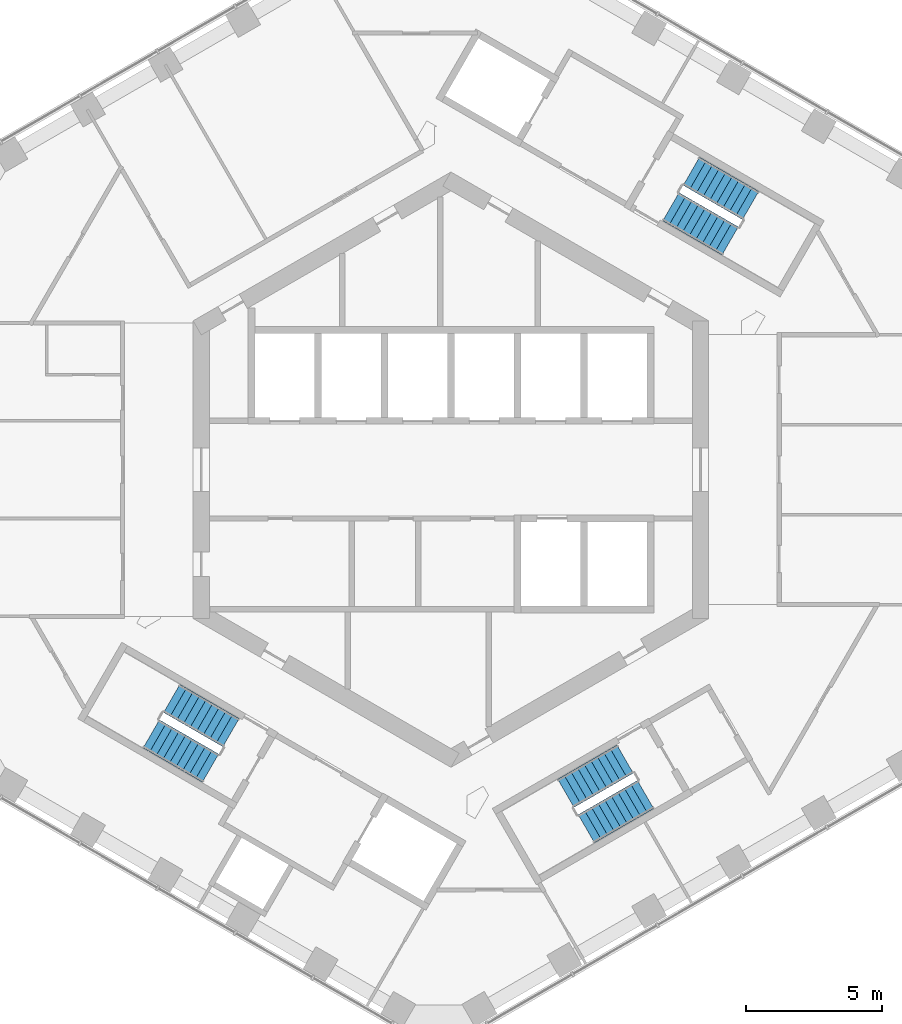
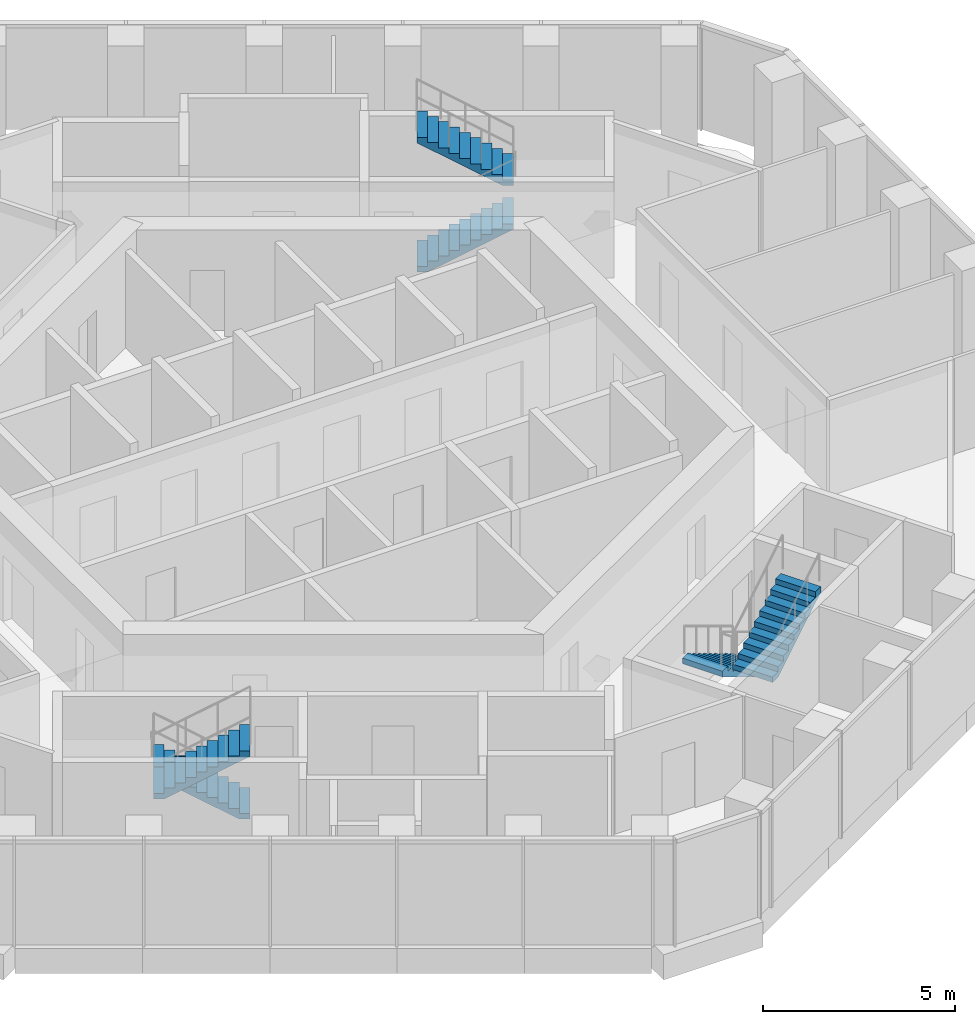
# One storey, part 17 of 18: 6 stair flights, 3 elements without a shape of their own.
"""IFC4 building model written with IfcOpenShell, lengths in metres."""

import ifcopenshell
import ifcopenshell.guid

model = None  # the IFC model being written
_history = None  # IfcOwnerHistory: only IFC2X3 demands one
_inside = {}  # id of a spatial element -> (the spatial element, [elements in it])
_under = {}  # id of a project, library or spatial element -> (it, [spatial elements below it])
_declared = {}  # id of a project -> (the project, [libraries it declares])
_typed = {}  # id of a type object -> (the type object, [elements of that type])
_made_of = {}  # id of a material, layer set ... -> (it, [elements and type objects made of it])


def new_model(schema):
    """Start an empty IFC model of exactly this schema.

    Asked for "IFC4X3", IfcOpenShell would pick the latest addendum, in which some entities
    have other attributes; the version numbers below select the first issue.
    IFC2X3 requires an IfcOwnerHistory on every rooted entity: one is made here for all.
    """
    global model, _history
    if schema == "IFC4X3":
        model = ifcopenshell.file(schema_version=(4, 3, 0, 0))
    else:
        model = ifcopenshell.file(schema=schema)
    _inside.clear()
    _under.clear()
    _declared.clear()
    _typed.clear()
    _made_of.clear()
    _history = None
    if model.schema == "IFC2X3":
        org = make("IfcOrganization", Name="unknown")
        user = make(
            "IfcPersonAndOrganization",
            ThePerson=make("IfcPerson", FamilyName="unknown"),
            TheOrganization=org,
        )
        app = make(
            "IfcApplication",
            ApplicationDeveloper=org,
            Version="unknown",
            ApplicationFullName="unknown",
            ApplicationIdentifier="unknown",
        )
        _history = make(
            "IfcOwnerHistory",
            OwningUser=user,
            OwningApplication=app,
            ChangeAction="ADDED",
            CreationDate=0,
        )
    return model


def make(cls, **values):
    """One entity of the class cls with the attributes given. An attribute that is None is left unset."""
    return model.create_entity(
        cls, **{name: value for name, value in values.items() if value is not None}
    )


def rooted(cls, **values):
    """An entity with a GlobalId (a new one), such as an element, a storey or a relation."""
    return make(cls, GlobalId=ifcopenshell.guid.new(), OwnerHistory=_history, **values)


def si_unit(unit_type, name, prefix=None):
    """IfcSIUnit, for example si_unit("LENGTHUNIT", "METRE", prefix="MILLI")."""
    return make("IfcSIUnit", UnitType=unit_type, Prefix=prefix, Name=name)


def assignment(units):
    """IfcUnitAssignment: the units of a project."""
    return None if units is None else make("IfcUnitAssignment", Units=units)


def point(xyz):
    """IfcCartesianPoint."""
    return None if xyz is None else make("IfcCartesianPoint", Coordinates=xyz)


def direction(xyz):
    """IfcDirection."""
    return None if xyz is None else make("IfcDirection", DirectionRatios=xyz)


def frame(location, z_axis=None, x_axis=None):
    """IfcAxis2Placement3D, a coordinate frame: its origin and axes. An axis left out is left unset."""
    return make(
        "IfcAxis2Placement3D",
        Location=point(location),
        Axis=direction(z_axis),
        RefDirection=direction(x_axis),
    )


def origin():
    """The frame at (0, 0, 0) with its axes left unset."""
    return frame((0.0, 0.0, 0.0))


def place(relative_to, where):
    """IfcLocalPlacement: puts the frame where relative to a parent placement (None: the world)."""
    return make(
        "IfcLocalPlacement", PlacementRelTo=relative_to, RelativePlacement=where
    )


def context(
    kind, dimensions, precision=None, world=None, true_north=None, identifier=None
):
    """IfcGeometricRepresentationContext, for example the 3D "Model" context."""
    return make(
        "IfcGeometricRepresentationContext",
        ContextIdentifier=identifier,
        ContextType=kind,
        CoordinateSpaceDimension=dimensions,
        Precision=precision,
        WorldCoordinateSystem=world,
        TrueNorth=true_north,
    )


def subcontext(parent, identifier, kind, view, scale=None):
    """IfcGeometricRepresentationSubContext, for example "Body" below "Model"."""
    return make(
        "IfcGeometricRepresentationSubContext",
        ContextIdentifier=identifier,
        ContextType=kind,
        ParentContext=parent,
        TargetScale=scale,
        TargetView=view,
    )


def project(units=None, contexts=None):
    """IfcProject with its units and contexts."""
    return rooted(
        "IfcProject",
        Name="project",
        RepresentationContexts=contexts,
        UnitsInContext=assignment(units),
    )


def spatial(cls, under=None, at=None, **own):
    """A site, building, storey or space (cls), placed at a placement, below another one or the project."""
    s = rooted(cls, ObjectPlacement=at, **own)
    if under is not None:
        _under.setdefault(under.id(), (under, []))[1].append(s)
    return s


def point_list(points):
    """IfcCartesianPointList2D or 3D."""
    cls = (
        "IfcCartesianPointList2D" if len(points[0]) == 2 else "IfcCartesianPointList3D"
    )
    return make(cls, CoordList=points)


def triangles(points, corners, closed=None, point_numbers=None):
    """IfcTriangulatedFaceSet: each triangle names its three corners, points numbered from 1."""
    return make(
        "IfcTriangulatedFaceSet",
        Coordinates=point_list(points),
        Closed=closed,
        CoordIndex=corners,
        PnIndex=point_numbers,
    )


def shape(context_of_items, identifier, shape_type, items):
    """IfcShapeRepresentation: the items that make up one representation, for example the "Body"."""
    return make(
        "IfcShapeRepresentation",
        ContextOfItems=context_of_items,
        RepresentationIdentifier=identifier,
        RepresentationType=shape_type,
        Items=items,
    )


def material(Name=None, Category=None):
    """IfcMaterial."""
    return make("IfcMaterial", Name=Name, Category=Category)


def made_of(thing, what):
    """Note that an element or type object is made of a material, layer set ...; save() writes the relation."""
    if what is not None:
        _made_of.setdefault(what.id(), (what, []))[1].append(thing)
    return thing


def type_object(cls, material=None, **own):
    """A type object (cls), such as IfcWallType, which elements share."""
    return made_of(rooted(cls, **own), material)


def element(
    cls,
    number,
    at=None,
    inside=None,
    cuts=None,
    type_object=None,
    material=None,
    context=None,
    identifier="Body",
    shape_type=None,
    held_by="IfcProductDefinitionShape",
    body=None,
    shapes=None,
    **own,
):
    """One element of the class cls, such as IfcWall. Its Tag is "e" and its number.

    at: its placement. inside: the storey or other place that contains it. cuts: it is an
    opening in that element (IfcRelVoidsElement). A single representation is given by context,
    identifier, shape_type and body (its items); several are given by shapes. held_by: the class
    of the entity that holds the representations. save() writes the other relations.
    """
    e = rooted(cls, Tag="e%d" % number, ObjectPlacement=at, **own)
    if body is not None:
        shapes = [shape(context, identifier, shape_type, body)]
    if shapes is not None:
        e.Representation = make(held_by, Representations=shapes)
    if inside is not None:
        _inside.setdefault(inside.id(), (inside, []))[1].append(e)
    if cuts is not None:
        rooted(
            "IfcRelVoidsElement", RelatingBuildingElement=cuts, RelatedOpeningElement=e
        )
    if type_object is not None:
        _typed.setdefault(type_object.id(), (type_object, []))[1].append(e)
    return made_of(e, material)


def aggregate(whole, parts):
    """IfcRelAggregates: a whole, such as a stair, and the parts it consists of."""
    return rooted("IfcRelAggregates", RelatingObject=whole, RelatedObjects=parts)


def save(model, path):
    """Write the relations noted so far, then the file.

    IfcRelAggregates (storeys below a building ...), IfcRelContainedInSpatialStructure (elements
    in a storey), IfcRelDefinesByType, IfcRelAssociatesMaterial and IfcRelDeclares: one each for
    every whole, place, type object, material and project.
    """
    for whole, parts in _under.values():
        aggregate(whole, parts)
    for where, things in _inside.values():
        rooted(
            "IfcRelContainedInSpatialStructure",
            RelatedElements=things,
            RelatingStructure=where,
        )
    for kind, things in _typed.values():
        rooted("IfcRelDefinesByType", RelatedObjects=things, RelatingType=kind)
    for what, things in _made_of.values():
        rooted("IfcRelAssociatesMaterial", RelatedObjects=things, RelatingMaterial=what)
    for by, libraries in _declared.values():
        rooted("IfcRelDeclares", RelatingContext=by, RelatedDefinitions=libraries)
    model.write(path)


model = new_model("IFC4")

# Units and contexts
model_context = context("Model", 3, precision=1e-05, world=origin(), true_north=direction((0.0, 1.0)))
body_context = subcontext(model_context, "Body", "Model", "MODEL_VIEW")
ifc_project = project(units=[si_unit("LENGTHUNIT", "METRE"), si_unit("AREAUNIT", "SQUARE_METRE"), si_unit("VOLUMEUNIT", "CUBIC_METRE"), si_unit("PLANEANGLEUNIT", "RADIAN"), si_unit("MASSUNIT", "GRAM", prefix="KILO")], contexts=[model_context])

# Site, building, storey
site_placement = place(None, origin())
site = spatial("IfcSite", under=ifc_project, at=site_placement, CompositionType="ELEMENT")
building_placement = place(site_placement, origin())
building = spatial("IfcBuilding", under=site, at=building_placement, Name="Ayvan Gate Tower", CompositionType="ELEMENT")
storey_placement = place(building_placement, frame((0.0, 0.0, 176.5)))
storey = spatial("IfcBuildingStorey", under=building, at=storey_placement, Name="L47", CompositionType="ELEMENT", Elevation=176.5)

# Stair, stair flights
ifc_material = material(Name="Concrete C40/50", Category="concrete")
stair_type = type_object("IfcStairType", Name="ST-EXIT", PredefinedType="HALF_TURN_STAIR", material=ifc_material)
stair_1_placement = place(storey_placement, origin())
stair_1 = element("IfcStair", 1, at=stair_1_placement, inside=storey, type_object=stair_type, Name="L47 Exit Stair S1", PredefinedType="HALF_TURN_STAIR")
stair_flight_type = type_object("IfcStairFlightType", Name="SFL-EXIT", PredefinedType="STRAIGHT", material=ifc_material)
stair_flight_1_placement = place(storey_placement, frame((8.106201171875, 9.690185546875, 0.0), z_axis=(0.0, 0.0, 1.0), x_axis=(0.866025403784, -0.5, 0.0)))
stair_flight_1 = element("IfcStairFlight", 2, at=stair_flight_1_placement, type_object=stair_flight_type, Name="STS1 flight 1", NumberOfRisers=10, NumberOfTreads=9, PredefinedType="STRAIGHT", RiserHeight=0.17, TreadLength=0.28, context=body_context, shape_type="Tessellation", body=[
    triangles([(0.288841, -0.599976, 0.0), (2.5205, -0.599976, 1.354936), (2.5205, -0.599976, 1.53), (2.24, -0.599976, 1.53), (2.24, -0.599976, 1.36), (1.96, -0.599976, 1.36), (1.96, -0.599976, 1.19), (1.68, -0.599976, 1.19), (1.68, -0.599976, 1.02), (1.4, -0.599976, 1.02), (1.4, -0.599976, 0.85), (1.12, -0.599976, 0.85), (1.12, -0.599976, 0.68), (0.84, -0.599976, 0.68), (0.84, -0.599976, 0.51), (0.56, -0.599976, 0.51), (0.56, -0.599976, 0.34), (0.28, -0.599976, 0.34), (0.28, -0.599976, 0.17), (-0.0005, -0.599976, 0.17), (-0.0005, -0.599976, 0.0), (0.288841, 0.0, 0.0), (2.5205, 0.0, 1.354936), (2.5205, 0.0, 1.53), (2.24, 0.0, 1.53), (2.24, 0.0, 1.36), (1.96, 0.0, 1.36), (1.96, 0.0, 1.19), (1.68, 0.0, 1.19), (1.68, 0.0, 1.02), (1.4, 0.0, 1.02), (1.4, 0.0, 0.85), (1.12, 0.0, 0.85), (1.12, 0.0, 0.68), (0.84, 0.0, 0.68), (0.84, 0.0, 0.51), (0.56, 0.0, 0.51), (0.56, 0.0, 0.34), (0.28, 0.0, 0.34), (0.28, 0.0, 0.17), (-0.0005, 0.0, 0.17), (-0.0005, 0.0, 0.0), (0.288841, 0.599976, 0.0), (2.5205, 0.599976, 1.354936), (2.5205, 0.599976, 1.53), (2.24, 0.599976, 1.53), (2.24, 0.599976, 1.36), (1.96, 0.599976, 1.36), (1.96, 0.599976, 1.19), (1.68, 0.599976, 1.19), (1.68, 0.599976, 1.02), (1.4, 0.599976, 1.02), (1.4, 0.599976, 0.85), (1.12, 0.599976, 0.85), (1.12, 0.599976, 0.68), (0.84, 0.599976, 0.68), (0.84, 0.599976, 0.51), (0.56, 0.599976, 0.51), (0.56, 0.599976, 0.34), (0.28, 0.599976, 0.34), (0.28, 0.599976, 0.17), (-0.0005, 0.599976, 0.17), (-0.0005, 0.599976, 0.0)], [[21, 1, 2], [63, 44, 43], [2, 3, 4], [44, 46, 45], [2, 4, 5], [44, 47, 46], [2, 5, 6], [44, 48, 47], [2, 6, 7], [44, 49, 48], [7, 8, 9], [49, 51, 50], [2, 7, 9], [44, 51, 49], [9, 10, 11], [51, 53, 52], [2, 9, 11], [44, 53, 51], [11, 12, 13], [53, 55, 54], [2, 11, 13], [44, 55, 53], [13, 14, 15], [55, 57, 56], [2, 13, 15], [44, 57, 55], [15, 16, 17], [57, 59, 58], [2, 15, 17], [44, 59, 57], [17, 18, 19], [59, 61, 60], [2, 17, 19], [44, 61, 59], [21, 2, 19], [63, 61, 44], [19, 20, 21], [61, 63, 62], [1, 22, 23], [1, 23, 2], [43, 23, 22], [43, 44, 23], [2, 23, 24], [2, 24, 3], [44, 24, 23], [44, 45, 24], [3, 24, 25], [3, 25, 4], [45, 25, 24], [45, 46, 25], [4, 25, 26], [4, 26, 5], [46, 26, 25], [46, 47, 26], [5, 26, 27], [5, 27, 6], [47, 27, 26], [47, 48, 27], [6, 27, 28], [6, 28, 7], [48, 28, 27], [48, 49, 28], [7, 28, 29], [7, 29, 8], [49, 29, 28], [49, 50, 29], [8, 29, 30], [8, 30, 9], [50, 30, 29], [50, 51, 30], [9, 30, 31], [9, 31, 10], [51, 31, 30], [51, 52, 31], [10, 31, 32], [10, 32, 11], [52, 32, 31], [52, 53, 32], [11, 32, 33], [11, 33, 12], [53, 33, 32], [53, 54, 33], [12, 33, 34], [12, 34, 13], [54, 34, 33], [54, 55, 34], [13, 34, 35], [13, 35, 14], [55, 35, 34], [55, 56, 35], [14, 35, 36], [14, 36, 15], [56, 36, 35], [56, 57, 36], [15, 36, 37], [15, 37, 16], [57, 37, 36], [57, 58, 37], [16, 37, 38], [16, 38, 17], [58, 38, 37], [58, 59, 38], [17, 38, 39], [17, 39, 18], [59, 39, 38], [59, 60, 39], [18, 39, 40], [18, 40, 19], [60, 40, 39], [60, 61, 40], [19, 40, 41], [19, 41, 20], [61, 41, 40], [61, 62, 41], [20, 41, 42], [20, 42, 21], [62, 42, 41], [62, 63, 42], [21, 42, 22], [21, 22, 1], [63, 22, 42], [63, 43, 22]], closed=True),
])
stair_flight_2_placement = place(storey_placement, frame((11.04345703125, 9.73779296875, 1.699951171875), z_axis=(0.0, 0.0, 1.0), x_axis=(-0.866025403784, 0.5, 0.0)))
stair_flight_2 = element("IfcStairFlight", 3, at=stair_flight_2_placement, type_object=stair_flight_type, Name="STS1 flight 2", NumberOfRisers=10, NumberOfTreads=9, PredefinedType="STRAIGHT", RiserHeight=0.17, TreadLength=0.28, context=body_context, shape_type="Tessellation", body=[
    triangles([(0.288841, -0.599976, 0.0), (2.5205, -0.599976, 1.354936), (2.5205, -0.599976, 1.53), (2.24, -0.599976, 1.53), (2.24, -0.599976, 1.36), (1.96, -0.599976, 1.36), (1.96, -0.599976, 1.19), (1.68, -0.599976, 1.19), (1.68, -0.599976, 1.02), (1.4, -0.599976, 1.02), (1.4, -0.599976, 0.85), (1.12, -0.599976, 0.85), (1.12, -0.599976, 0.68), (0.84, -0.599976, 0.68), (0.84, -0.599976, 0.51), (0.56, -0.599976, 0.51), (0.56, -0.599976, 0.34), (0.28, -0.599976, 0.34), (0.28, -0.599976, 0.17), (-0.0005, -0.599976, 0.17), (-0.0005, -0.599976, 0.0), (0.288841, 0.0, 0.0), (2.5205, 0.0, 1.354936), (2.5205, 0.0, 1.53), (2.24, 0.0, 1.53), (2.24, 0.0, 1.36), (1.96, 0.0, 1.36), (1.96, 0.0, 1.19), (1.68, 0.0, 1.19), (1.68, 0.0, 1.02), (1.4, 0.0, 1.02), (1.4, 0.0, 0.85), (1.12, 0.0, 0.85), (1.12, 0.0, 0.68), (0.84, 0.0, 0.68), (0.84, 0.0, 0.51), (0.56, 0.0, 0.51), (0.56, 0.0, 0.34), (0.28, 0.0, 0.34), (0.28, 0.0, 0.17), (-0.0005, 0.0, 0.17), (-0.0005, 0.0, 0.0), (0.288841, 0.599976, 0.0), (2.5205, 0.599976, 1.354936), (2.5205, 0.599976, 1.53), (2.24, 0.599976, 1.53), (2.24, 0.599976, 1.36), (1.96, 0.599976, 1.36), (1.96, 0.599976, 1.19), (1.68, 0.599976, 1.19), (1.68, 0.599976, 1.02), (1.4, 0.599976, 1.02), (1.4, 0.599976, 0.85), (1.12, 0.599976, 0.85), (1.12, 0.599976, 0.68), (0.84, 0.599976, 0.68), (0.84, 0.599976, 0.51), (0.56, 0.599976, 0.51), (0.56, 0.599976, 0.34), (0.28, 0.599976, 0.34), (0.28, 0.599976, 0.17), (-0.0005, 0.599976, 0.17), (-0.0005, 0.599976, 0.0)], [[21, 1, 2], [63, 44, 43], [2, 3, 4], [44, 46, 45], [2, 4, 5], [44, 47, 46], [2, 5, 6], [44, 48, 47], [2, 6, 7], [44, 49, 48], [7, 8, 9], [49, 51, 50], [2, 7, 9], [44, 51, 49], [9, 10, 11], [51, 53, 52], [2, 9, 11], [44, 53, 51], [11, 12, 13], [53, 55, 54], [2, 11, 13], [44, 55, 53], [13, 14, 15], [55, 57, 56], [2, 13, 15], [44, 57, 55], [15, 16, 17], [57, 59, 58], [2, 15, 17], [44, 59, 57], [17, 18, 19], [59, 61, 60], [2, 17, 19], [44, 61, 59], [21, 2, 19], [63, 61, 44], [19, 20, 21], [61, 63, 62], [1, 22, 23], [1, 23, 2], [43, 23, 22], [43, 44, 23], [2, 23, 24], [2, 24, 3], [44, 24, 23], [44, 45, 24], [3, 24, 25], [3, 25, 4], [45, 25, 24], [45, 46, 25], [4, 25, 26], [4, 26, 5], [46, 26, 25], [46, 47, 26], [5, 26, 27], [5, 27, 6], [47, 27, 26], [47, 48, 27], [6, 27, 28], [6, 28, 7], [48, 28, 27], [48, 49, 28], [7, 28, 29], [7, 29, 8], [49, 29, 28], [49, 50, 29], [8, 29, 30], [8, 30, 9], [50, 30, 29], [50, 51, 30], [9, 30, 31], [9, 31, 10], [51, 31, 30], [51, 52, 31], [10, 31, 32], [10, 32, 11], [52, 32, 31], [52, 53, 32], [11, 32, 33], [11, 33, 12], [53, 33, 32], [53, 54, 33], [12, 33, 34], [12, 34, 13], [54, 34, 33], [54, 55, 34], [13, 34, 35], [13, 35, 14], [55, 35, 34], [55, 56, 35], [14, 35, 36], [14, 36, 15], [56, 36, 35], [56, 57, 36], [15, 36, 37], [15, 37, 16], [57, 37, 36], [57, 58, 37], [16, 37, 38], [16, 38, 17], [58, 38, 37], [58, 59, 38], [17, 38, 39], [17, 39, 18], [59, 39, 38], [59, 60, 39], [18, 39, 40], [18, 40, 19], [60, 40, 39], [60, 61, 40], [19, 40, 41], [19, 41, 20], [61, 41, 40], [61, 62, 41], [20, 41, 42], [20, 42, 21], [62, 42, 41], [62, 63, 42], [21, 42, 22], [21, 22, 1], [63, 22, 42], [63, 43, 22]], closed=True),
])
aggregate(stair_1, [stair_flight_1, stair_flight_2])

stair_2_placement = place(storey_placement, origin())
stair_2 = element("IfcStair", 4, at=stair_2_placement, inside=storey, type_object=stair_type, Name="L47 Exit Stair S2", PredefinedType="HALF_TURN_STAIR")
stair_flight_3_placement = place(storey_placement, frame((-8.106201171875, -9.690185546875, 0.0), z_axis=(0.0, 0.0, 1.0), x_axis=(-0.866025403784, 0.5, 0.0)))
stair_flight_3 = element("IfcStairFlight", 5, at=stair_flight_3_placement, type_object=stair_flight_type, Name="STS2 flight 1", NumberOfRisers=10, NumberOfTreads=9, PredefinedType="STRAIGHT", RiserHeight=0.17, TreadLength=0.28, context=body_context, shape_type="Tessellation", body=[
    triangles([(0.288841, -0.599976, 0.0), (2.5205, -0.599976, 1.354936), (2.5205, -0.599976, 1.53), (2.24, -0.599976, 1.53), (2.24, -0.599976, 1.36), (1.96, -0.599976, 1.36), (1.96, -0.599976, 1.19), (1.68, -0.599976, 1.19), (1.68, -0.599976, 1.02), (1.4, -0.599976, 1.02), (1.4, -0.599976, 0.85), (1.12, -0.599976, 0.85), (1.12, -0.599976, 0.68), (0.84, -0.599976, 0.68), (0.84, -0.599976, 0.51), (0.56, -0.599976, 0.51), (0.56, -0.599976, 0.34), (0.28, -0.599976, 0.34), (0.28, -0.599976, 0.17), (-0.0005, -0.599976, 0.17), (-0.0005, -0.599976, 0.0), (0.288841, 0.0, 0.0), (2.5205, 0.0, 1.354936), (2.5205, 0.0, 1.53), (2.24, 0.0, 1.53), (2.24, 0.0, 1.36), (1.96, 0.0, 1.36), (1.96, 0.0, 1.19), (1.68, 0.0, 1.19), (1.68, 0.0, 1.02), (1.4, 0.0, 1.02), (1.4, 0.0, 0.85), (1.12, 0.0, 0.85), (1.12, 0.0, 0.68), (0.84, 0.0, 0.68), (0.84, 0.0, 0.51), (0.56, 0.0, 0.51), (0.56, 0.0, 0.34), (0.28, 0.0, 0.34), (0.28, 0.0, 0.17), (-0.0005, 0.0, 0.17), (-0.0005, 0.0, 0.0), (0.288841, 0.599976, 0.0), (2.5205, 0.599976, 1.354936), (2.5205, 0.599976, 1.53), (2.24, 0.599976, 1.53), (2.24, 0.599976, 1.36), (1.96, 0.599976, 1.36), (1.96, 0.599976, 1.19), (1.68, 0.599976, 1.19), (1.68, 0.599976, 1.02), (1.4, 0.599976, 1.02), (1.4, 0.599976, 0.85), (1.12, 0.599976, 0.85), (1.12, 0.599976, 0.68), (0.84, 0.599976, 0.68), (0.84, 0.599976, 0.51), (0.56, 0.599976, 0.51), (0.56, 0.599976, 0.34), (0.28, 0.599976, 0.34), (0.28, 0.599976, 0.17), (-0.0005, 0.599976, 0.17), (-0.0005, 0.599976, 0.0)], [[21, 1, 2], [63, 44, 43], [2, 3, 4], [44, 46, 45], [2, 4, 5], [44, 47, 46], [2, 5, 6], [44, 48, 47], [2, 6, 7], [44, 49, 48], [7, 8, 9], [49, 51, 50], [2, 7, 9], [44, 51, 49], [9, 10, 11], [51, 53, 52], [2, 9, 11], [44, 53, 51], [11, 12, 13], [53, 55, 54], [2, 11, 13], [44, 55, 53], [13, 14, 15], [55, 57, 56], [2, 13, 15], [44, 57, 55], [15, 16, 17], [57, 59, 58], [2, 15, 17], [44, 59, 57], [17, 18, 19], [59, 61, 60], [2, 17, 19], [44, 61, 59], [21, 2, 19], [63, 61, 44], [19, 20, 21], [61, 63, 62], [1, 22, 23], [1, 23, 2], [43, 23, 22], [43, 44, 23], [2, 23, 24], [2, 24, 3], [44, 24, 23], [44, 45, 24], [3, 24, 25], [3, 25, 4], [45, 25, 24], [45, 46, 25], [4, 25, 26], [4, 26, 5], [46, 26, 25], [46, 47, 26], [5, 26, 27], [5, 27, 6], [47, 27, 26], [47, 48, 27], [6, 27, 28], [6, 28, 7], [48, 28, 27], [48, 49, 28], [7, 28, 29], [7, 29, 8], [49, 29, 28], [49, 50, 29], [8, 29, 30], [8, 30, 9], [50, 30, 29], [50, 51, 30], [9, 30, 31], [9, 31, 10], [51, 31, 30], [51, 52, 31], [10, 31, 32], [10, 32, 11], [52, 32, 31], [52, 53, 32], [11, 32, 33], [11, 33, 12], [53, 33, 32], [53, 54, 33], [12, 33, 34], [12, 34, 13], [54, 34, 33], [54, 55, 34], [13, 34, 35], [13, 35, 14], [55, 35, 34], [55, 56, 35], [14, 35, 36], [14, 36, 15], [56, 36, 35], [56, 57, 36], [15, 36, 37], [15, 37, 16], [57, 37, 36], [57, 58, 37], [16, 37, 38], [16, 38, 17], [58, 38, 37], [58, 59, 38], [17, 38, 39], [17, 39, 18], [59, 39, 38], [59, 60, 39], [18, 39, 40], [18, 40, 19], [60, 40, 39], [60, 61, 40], [19, 40, 41], [19, 41, 20], [61, 41, 40], [61, 62, 41], [20, 41, 42], [20, 42, 21], [62, 42, 41], [62, 63, 42], [21, 42, 22], [21, 22, 1], [63, 22, 42], [63, 43, 22]], closed=True),
])
stair_flight_4_placement = place(storey_placement, frame((-11.04345703125, -9.73779296875, 1.699951171875), z_axis=(0.0, 0.0, 1.0), x_axis=(0.866025403784, -0.5, 0.0)))
stair_flight_4 = element("IfcStairFlight", 6, at=stair_flight_4_placement, type_object=stair_flight_type, Name="STS2 flight 2", NumberOfRisers=10, NumberOfTreads=9, PredefinedType="STRAIGHT", RiserHeight=0.17, TreadLength=0.28, context=body_context, shape_type="Tessellation", body=[
    triangles([(0.288841, -0.599976, 0.0), (2.5205, -0.599976, 1.354936), (2.5205, -0.599976, 1.53), (2.24, -0.599976, 1.53), (2.24, -0.599976, 1.36), (1.96, -0.599976, 1.36), (1.96, -0.599976, 1.19), (1.68, -0.599976, 1.19), (1.68, -0.599976, 1.02), (1.4, -0.599976, 1.02), (1.4, -0.599976, 0.85), (1.12, -0.599976, 0.85), (1.12, -0.599976, 0.68), (0.84, -0.599976, 0.68), (0.84, -0.599976, 0.51), (0.56, -0.599976, 0.51), (0.56, -0.599976, 0.34), (0.28, -0.599976, 0.34), (0.28, -0.599976, 0.17), (-0.0005, -0.599976, 0.17), (-0.0005, -0.599976, 0.0), (0.288841, 0.0, 0.0), (2.5205, 0.0, 1.354936), (2.5205, 0.0, 1.53), (2.24, 0.0, 1.53), (2.24, 0.0, 1.36), (1.96, 0.0, 1.36), (1.96, 0.0, 1.19), (1.68, 0.0, 1.19), (1.68, 0.0, 1.02), (1.4, 0.0, 1.02), (1.4, 0.0, 0.85), (1.12, 0.0, 0.85), (1.12, 0.0, 0.68), (0.84, 0.0, 0.68), (0.84, 0.0, 0.51), (0.56, 0.0, 0.51), (0.56, 0.0, 0.34), (0.28, 0.0, 0.34), (0.28, 0.0, 0.17), (-0.0005, 0.0, 0.17), (-0.0005, 0.0, 0.0), (0.288841, 0.599976, 0.0), (2.5205, 0.599976, 1.354936), (2.5205, 0.599976, 1.53), (2.24, 0.599976, 1.53), (2.24, 0.599976, 1.36), (1.96, 0.599976, 1.36), (1.96, 0.599976, 1.19), (1.68, 0.599976, 1.19), (1.68, 0.599976, 1.02), (1.4, 0.599976, 1.02), (1.4, 0.599976, 0.85), (1.12, 0.599976, 0.85), (1.12, 0.599976, 0.68), (0.84, 0.599976, 0.68), (0.84, 0.599976, 0.51), (0.56, 0.599976, 0.51), (0.56, 0.599976, 0.34), (0.28, 0.599976, 0.34), (0.28, 0.599976, 0.17), (-0.0005, 0.599976, 0.17), (-0.0005, 0.599976, 0.0)], [[21, 1, 2], [63, 44, 43], [2, 3, 4], [44, 46, 45], [2, 4, 5], [44, 47, 46], [2, 5, 6], [44, 48, 47], [2, 6, 7], [44, 49, 48], [7, 8, 9], [49, 51, 50], [2, 7, 9], [44, 51, 49], [9, 10, 11], [51, 53, 52], [2, 9, 11], [44, 53, 51], [11, 12, 13], [53, 55, 54], [2, 11, 13], [44, 55, 53], [13, 14, 15], [55, 57, 56], [2, 13, 15], [44, 57, 55], [15, 16, 17], [57, 59, 58], [2, 15, 17], [44, 59, 57], [17, 18, 19], [59, 61, 60], [2, 17, 19], [44, 61, 59], [21, 2, 19], [63, 61, 44], [19, 20, 21], [61, 63, 62], [1, 22, 23], [1, 23, 2], [43, 23, 22], [43, 44, 23], [2, 23, 24], [2, 24, 3], [44, 24, 23], [44, 45, 24], [3, 24, 25], [3, 25, 4], [45, 25, 24], [45, 46, 25], [4, 25, 26], [4, 26, 5], [46, 26, 25], [46, 47, 26], [5, 26, 27], [5, 27, 6], [47, 27, 26], [47, 48, 27], [6, 27, 28], [6, 28, 7], [48, 28, 27], [48, 49, 28], [7, 28, 29], [7, 29, 8], [49, 29, 28], [49, 50, 29], [8, 29, 30], [8, 30, 9], [50, 30, 29], [50, 51, 30], [9, 30, 31], [9, 31, 10], [51, 31, 30], [51, 52, 31], [10, 31, 32], [10, 32, 11], [52, 32, 31], [52, 53, 32], [11, 32, 33], [11, 33, 12], [53, 33, 32], [53, 54, 33], [12, 33, 34], [12, 34, 13], [54, 34, 33], [54, 55, 34], [13, 34, 35], [13, 35, 14], [55, 35, 34], [55, 56, 35], [14, 35, 36], [14, 36, 15], [56, 36, 35], [56, 57, 36], [15, 36, 37], [15, 37, 16], [57, 37, 36], [57, 58, 37], [16, 37, 38], [16, 38, 17], [58, 38, 37], [58, 59, 38], [17, 38, 39], [17, 39, 18], [59, 39, 38], [59, 60, 39], [18, 39, 40], [18, 40, 19], [60, 40, 39], [60, 61, 40], [19, 40, 41], [19, 41, 20], [61, 41, 40], [61, 62, 41], [20, 41, 42], [20, 42, 21], [62, 42, 41], [62, 63, 42], [21, 42, 22], [21, 22, 1], [63, 22, 42], [63, 43, 22]], closed=True),
])
aggregate(stair_2, [stair_flight_3, stair_flight_4])

stair_3_placement = place(storey_placement, origin())
stair_3 = element("IfcStair", 7, at=stair_3_placement, inside=storey, type_object=stair_type, Name="L47 Exit Stair S3", PredefinedType="HALF_TURN_STAIR")
stair_flight_5_placement = place(storey_placement, frame((6.417236328125, -10.665283203125, 0.0), z_axis=(0.0, 0.0, 1.0), x_axis=(-0.866025403784, -0.5, 0.0)))
stair_flight_5 = element("IfcStairFlight", 8, at=stair_flight_5_placement, type_object=stair_flight_type, Name="STS3 flight 1", NumberOfRisers=10, NumberOfTreads=9, PredefinedType="STRAIGHT", RiserHeight=0.17, TreadLength=0.28, context=body_context, shape_type="Tessellation", body=[
    triangles([(0.288841, -0.599976, 0.0), (2.5205, -0.599976, 1.354936), (2.5205, -0.599976, 1.53), (2.24, -0.599976, 1.53), (2.24, -0.599976, 1.36), (1.96, -0.599976, 1.36), (1.96, -0.599976, 1.19), (1.68, -0.599976, 1.19), (1.68, -0.599976, 1.02), (1.4, -0.599976, 1.02), (1.4, -0.599976, 0.85), (1.12, -0.599976, 0.85), (1.12, -0.599976, 0.68), (0.84, -0.599976, 0.68), (0.84, -0.599976, 0.51), (0.56, -0.599976, 0.51), (0.56, -0.599976, 0.34), (0.28, -0.599976, 0.34), (0.28, -0.599976, 0.17), (-0.0005, -0.599976, 0.17), (-0.0005, -0.599976, 0.0), (0.288841, 0.0, 0.0), (2.5205, 0.0, 1.354936), (2.5205, 0.0, 1.53), (2.24, 0.0, 1.53), (2.24, 0.0, 1.36), (1.96, 0.0, 1.36), (1.96, 0.0, 1.19), (1.68, 0.0, 1.19), (1.68, 0.0, 1.02), (1.4, 0.0, 1.02), (1.4, 0.0, 0.85), (1.12, 0.0, 0.85), (1.12, 0.0, 0.68), (0.84, 0.0, 0.68), (0.84, 0.0, 0.51), (0.56, 0.0, 0.51), (0.56, 0.0, 0.34), (0.28, 0.0, 0.34), (0.28, 0.0, 0.17), (-0.0005, 0.0, 0.17), (-0.0005, 0.0, 0.0), (0.288841, 0.599976, 0.0), (2.5205, 0.599976, 1.354936), (2.5205, 0.599976, 1.53), (2.24, 0.599976, 1.53), (2.24, 0.599976, 1.36), (1.96, 0.599976, 1.36), (1.96, 0.599976, 1.19), (1.68, 0.599976, 1.19), (1.68, 0.599976, 1.02), (1.4, 0.599976, 1.02), (1.4, 0.599976, 0.85), (1.12, 0.599976, 0.85), (1.12, 0.599976, 0.68), (0.84, 0.599976, 0.68), (0.84, 0.599976, 0.51), (0.56, 0.599976, 0.51), (0.56, 0.599976, 0.34), (0.28, 0.599976, 0.34), (0.28, 0.599976, 0.17), (-0.0005, 0.599976, 0.17), (-0.0005, 0.599976, 0.0)], [[21, 1, 2], [63, 44, 43], [2, 3, 4], [44, 46, 45], [2, 4, 5], [44, 47, 46], [2, 5, 6], [44, 48, 47], [2, 6, 7], [44, 49, 48], [7, 8, 9], [49, 51, 50], [2, 7, 9], [44, 51, 49], [9, 10, 11], [51, 53, 52], [2, 9, 11], [44, 53, 51], [11, 12, 13], [53, 55, 54], [2, 11, 13], [44, 55, 53], [13, 14, 15], [55, 57, 56], [2, 13, 15], [44, 57, 55], [15, 16, 17], [57, 59, 58], [2, 15, 17], [44, 59, 57], [17, 18, 19], [59, 61, 60], [2, 17, 19], [44, 61, 59], [21, 2, 19], [63, 61, 44], [19, 20, 21], [61, 63, 62], [1, 22, 23], [1, 23, 2], [43, 23, 22], [43, 44, 23], [2, 23, 24], [2, 24, 3], [44, 24, 23], [44, 45, 24], [3, 24, 25], [3, 25, 4], [45, 25, 24], [45, 46, 25], [4, 25, 26], [4, 26, 5], [46, 26, 25], [46, 47, 26], [5, 26, 27], [5, 27, 6], [47, 27, 26], [47, 48, 27], [6, 27, 28], [6, 28, 7], [48, 28, 27], [48, 49, 28], [7, 28, 29], [7, 29, 8], [49, 29, 28], [49, 50, 29], [8, 29, 30], [8, 30, 9], [50, 30, 29], [50, 51, 30], [9, 30, 31], [9, 31, 10], [51, 31, 30], [51, 52, 31], [10, 31, 32], [10, 32, 11], [52, 32, 31], [52, 53, 32], [11, 32, 33], [11, 33, 12], [53, 33, 32], [53, 54, 33], [12, 33, 34], [12, 34, 13], [54, 34, 33], [54, 55, 34], [13, 34, 35], [13, 35, 14], [55, 35, 34], [55, 56, 35], [14, 35, 36], [14, 36, 15], [56, 36, 35], [56, 57, 36], [15, 36, 37], [15, 37, 16], [57, 37, 36], [57, 58, 37], [16, 37, 38], [16, 38, 17], [58, 38, 37], [58, 59, 38], [17, 38, 39], [17, 39, 18], [59, 39, 38], [59, 60, 39], [18, 39, 40], [18, 40, 19], [60, 40, 39], [60, 61, 40], [19, 40, 41], [19, 41, 20], [61, 41, 40], [61, 62, 41], [20, 41, 42], [20, 42, 21], [62, 42, 41], [62, 63, 42], [21, 42, 22], [21, 22, 1], [63, 22, 42], [63, 43, 22]], closed=True),
])
stair_flight_6_placement = place(storey_placement, frame((4.989990234375, -13.23291015625, 1.699951171875), z_axis=(0.0, 0.0, 1.0), x_axis=(0.866025403784, 0.5, 0.0)))
stair_flight_6 = element("IfcStairFlight", 9, at=stair_flight_6_placement, type_object=stair_flight_type, Name="STS3 flight 2", NumberOfRisers=10, NumberOfTreads=9, PredefinedType="STRAIGHT", RiserHeight=0.17, TreadLength=0.28, context=body_context, shape_type="Tessellation", body=[
    triangles([(0.288841, -0.599976, 0.0), (2.5205, -0.599976, 1.354936), (2.5205, -0.599976, 1.53), (2.24, -0.599976, 1.53), (2.24, -0.599976, 1.36), (1.96, -0.599976, 1.36), (1.96, -0.599976, 1.19), (1.68, -0.599976, 1.19), (1.68, -0.599976, 1.02), (1.4, -0.599976, 1.02), (1.4, -0.599976, 0.85), (1.12, -0.599976, 0.85), (1.12, -0.599976, 0.68), (0.84, -0.599976, 0.68), (0.84, -0.599976, 0.51), (0.56, -0.599976, 0.51), (0.56, -0.599976, 0.34), (0.28, -0.599976, 0.34), (0.28, -0.599976, 0.17), (-0.0005, -0.599976, 0.17), (-0.0005, -0.599976, 0.0), (0.288841, 0.0, 0.0), (2.5205, 0.0, 1.354936), (2.5205, 0.0, 1.53), (2.24, 0.0, 1.53), (2.24, 0.0, 1.36), (1.96, 0.0, 1.36), (1.96, 0.0, 1.19), (1.68, 0.0, 1.19), (1.68, 0.0, 1.02), (1.4, 0.0, 1.02), (1.4, 0.0, 0.85), (1.12, 0.0, 0.85), (1.12, 0.0, 0.68), (0.84, 0.0, 0.68), (0.84, 0.0, 0.51), (0.56, 0.0, 0.51), (0.56, 0.0, 0.34), (0.28, 0.0, 0.34), (0.28, 0.0, 0.17), (-0.0005, 0.0, 0.17), (-0.0005, 0.0, 0.0), (0.288841, 0.599976, 0.0), (2.5205, 0.599976, 1.354936), (2.5205, 0.599976, 1.53), (2.24, 0.599976, 1.53), (2.24, 0.599976, 1.36), (1.96, 0.599976, 1.36), (1.96, 0.599976, 1.19), (1.68, 0.599976, 1.19), (1.68, 0.599976, 1.02), (1.4, 0.599976, 1.02), (1.4, 0.599976, 0.85), (1.12, 0.599976, 0.85), (1.12, 0.599976, 0.68), (0.84, 0.599976, 0.68), (0.84, 0.599976, 0.51), (0.56, 0.599976, 0.51), (0.56, 0.599976, 0.34), (0.28, 0.599976, 0.34), (0.28, 0.599976, 0.17), (-0.0005, 0.599976, 0.17), (-0.0005, 0.599976, 0.0)], [[21, 1, 2], [63, 44, 43], [2, 3, 4], [44, 46, 45], [2, 4, 5], [44, 47, 46], [2, 5, 6], [44, 48, 47], [2, 6, 7], [44, 49, 48], [7, 8, 9], [49, 51, 50], [2, 7, 9], [44, 51, 49], [9, 10, 11], [51, 53, 52], [2, 9, 11], [44, 53, 51], [11, 12, 13], [53, 55, 54], [2, 11, 13], [44, 55, 53], [13, 14, 15], [55, 57, 56], [2, 13, 15], [44, 57, 55], [15, 16, 17], [57, 59, 58], [2, 15, 17], [44, 59, 57], [17, 18, 19], [59, 61, 60], [2, 17, 19], [44, 61, 59], [21, 2, 19], [63, 61, 44], [19, 20, 21], [61, 63, 62], [1, 22, 23], [1, 23, 2], [43, 23, 22], [43, 44, 23], [2, 23, 24], [2, 24, 3], [44, 24, 23], [44, 45, 24], [3, 24, 25], [3, 25, 4], [45, 25, 24], [45, 46, 25], [4, 25, 26], [4, 26, 5], [46, 26, 25], [46, 47, 26], [5, 26, 27], [5, 27, 6], [47, 27, 26], [47, 48, 27], [6, 27, 28], [6, 28, 7], [48, 28, 27], [48, 49, 28], [7, 28, 29], [7, 29, 8], [49, 29, 28], [49, 50, 29], [8, 29, 30], [8, 30, 9], [50, 30, 29], [50, 51, 30], [9, 30, 31], [9, 31, 10], [51, 31, 30], [51, 52, 31], [10, 31, 32], [10, 32, 11], [52, 32, 31], [52, 53, 32], [11, 32, 33], [11, 33, 12], [53, 33, 32], [53, 54, 33], [12, 33, 34], [12, 34, 13], [54, 34, 33], [54, 55, 34], [13, 34, 35], [13, 35, 14], [55, 35, 34], [55, 56, 35], [14, 35, 36], [14, 36, 15], [56, 36, 35], [56, 57, 36], [15, 36, 37], [15, 37, 16], [57, 37, 36], [57, 58, 37], [16, 37, 38], [16, 38, 17], [58, 38, 37], [58, 59, 38], [17, 38, 39], [17, 39, 18], [59, 39, 38], [59, 60, 39], [18, 39, 40], [18, 40, 19], [60, 40, 39], [60, 61, 40], [19, 40, 41], [19, 41, 20], [61, 41, 40], [61, 62, 41], [20, 41, 42], [20, 42, 21], [62, 42, 41], [62, 63, 42], [21, 42, 22], [21, 22, 1], [63, 22, 42], [63, 43, 22]], closed=True),
])
aggregate(stair_3, [stair_flight_5, stair_flight_6])

save(model, "model.ifc")
